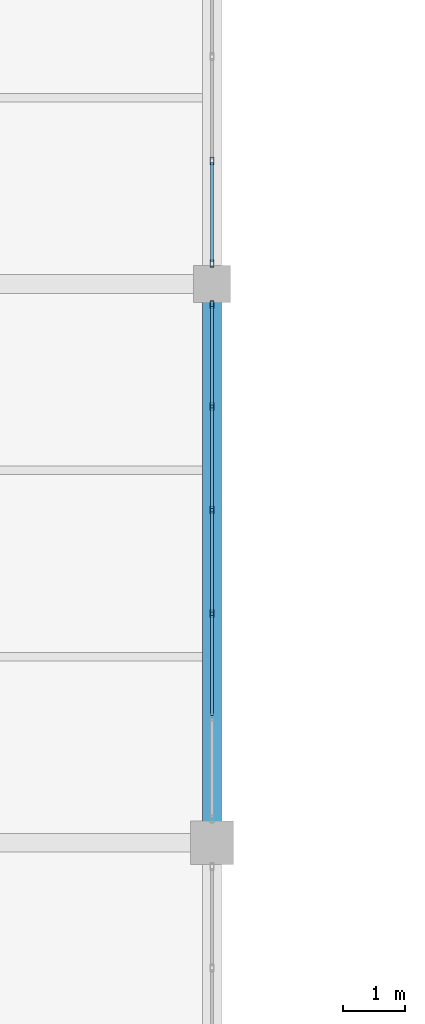
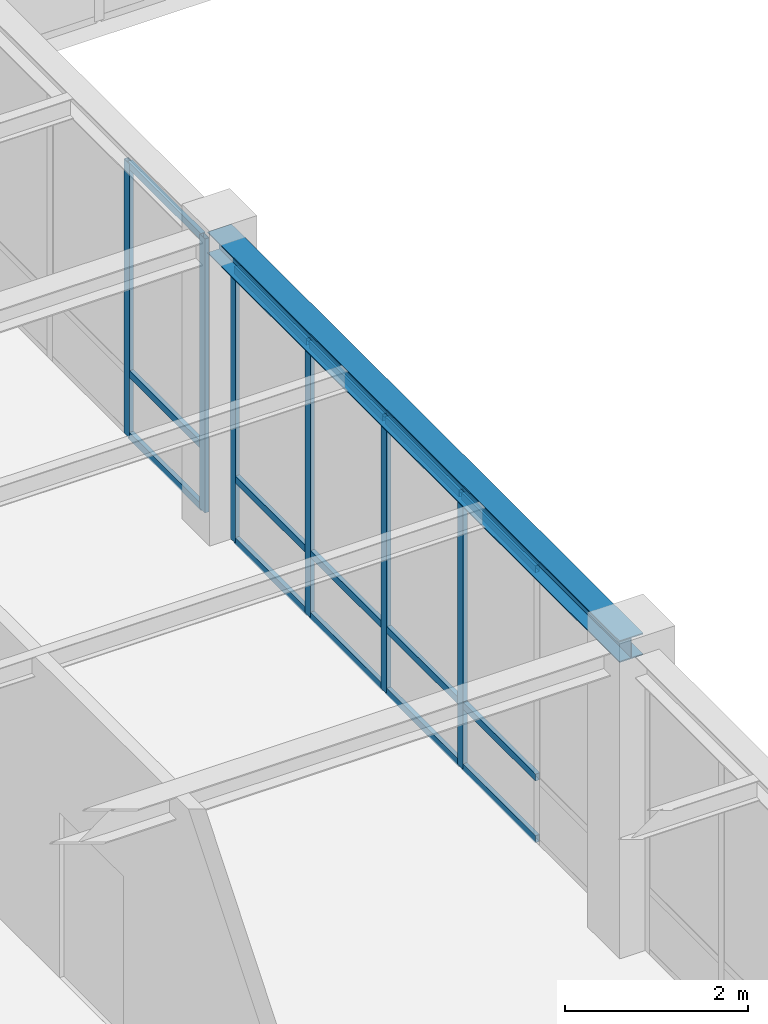
# One storey, part 35 of 130: 21 members, 1 beam, 2 elements without a shape of their own.
"""IFC4 building model written with IfcOpenShell, lengths in metres."""

from ifc_helpers import new_model, si_unit, direction, frame, origin, origin_2d, place, context, subcontext, project, spatial, hollow_rectangle, i_section, extrude, material, material_profile, profile_set, type_object, element, aggregate, save


model = new_model("IFC4")

# Units and contexts
model_context = context("Model", 3, precision=1e-05, world=origin(), true_north=direction((0.0, 1.0)))
body_context = subcontext(model_context, "Body", "Model", "MODEL_VIEW")
ifc_project = project(units=[si_unit("LENGTHUNIT", "METRE"), si_unit("AREAUNIT", "SQUARE_METRE"), si_unit("VOLUMEUNIT", "CUBIC_METRE"), si_unit("PLANEANGLEUNIT", "RADIAN"), si_unit("MASSUNIT", "GRAM", prefix="KILO")], contexts=[model_context])

# Site, building, storey
site_placement = place(None, origin())
site = spatial("IfcSite", under=ifc_project, at=site_placement, CompositionType="ELEMENT")
building_placement = place(site_placement, origin())
building = spatial("IfcBuilding", under=site, at=building_placement, Name="Lykobir Media Centre", CompositionType="ELEMENT")
storey_placement = place(building_placement, frame((0.0, 0.0, 19.199951171875)))
storey = spatial("IfcBuildingStorey", under=building, at=storey_placement, Name="L04", CompositionType="ELEMENT", Elevation=19.199951171875)

# Beam
ifc_material_1 = material(Name="Steel S355", Category="steel")
ifc_material_profile_1 = material_profile(ifc_material_1, i_section(OverallWidth=0.300048828125, OverallDepth=0.2900390625, WebThickness=0.008544921875, FlangeThickness=0.013916015625, at=origin_2d()), Name="HEA 300")
ifc_profile_set_1 = profile_set([ifc_material_profile_1], Name="Steel S355")
beam_type = type_object("IfcBeamType", Name="BM-HEA300", PredefinedType="BEAM", material=ifc_profile_set_1)
beam_placement = place(storey_placement, frame((36.0, 45.0, 3.81494140625), z_axis=(0.0, 1.0, 0.0), x_axis=(-1.0, 0.0, 0.0)))
element("IfcBeam", 1, at=beam_placement, inside=storey, type_object=beam_type, Name="Beam BM-L04-0360-0450-0360-0540-2302", PredefinedType="BEAM", context=body_context, shape_type="SweptSolid", body=[
    extrude(i_section(OverallWidth=0.300048828125, OverallDepth=0.2900390625, WebThickness=0.008544921875, FlangeThickness=0.013916015625, at=origin_2d()), origin(), (0.0, 0.0, 1.0), 9.0),
])

# Curtain wall, members
ifc_material_2 = material(Name="Anodized Aluminium AW-6060", Category="aluminium")
curtain_wall_type = type_object("IfcCurtainWallType", Name="CW-COURT-B", PredefinedType="NOTDEFINED", material=ifc_material_2)
curtain_wall_1_placement = place(storey_placement, origin())
curtain_wall_1 = element("IfcCurtainWall", 2, at=curtain_wall_1_placement, inside=storey, type_object=curtain_wall_type, Name="Curtain wall CW2-L04-0157", PredefinedType="NOTDEFINED")
ifc_material_profile_2 = material_profile(ifc_material_2, hollow_rectangle(XDim=0.054931640625, YDim=0.1201171875, WallThickness=0.003173828125, at=origin_2d()), Name="ALU MULLION 55x120")
ifc_profile_set_2 = profile_set([ifc_material_profile_2], Name="Anodized Aluminium AW-6060")
member_type_1 = type_object("IfcMemberType", Name="CWM-120", PredefinedType="MULLION", material=ifc_profile_set_2)
member_1_placement = place(storey_placement, frame((36.0, 53.66748046875, 0.0), z_axis=(0.0, 0.0, 1.0), x_axis=(1.0, 0.0, 0.0)))
member_1 = element("IfcMember", 3, at=member_1_placement, type_object=member_type_1, Name="CW2-L04-0157 mullion 1", PredefinedType="MULLION", context=body_context, shape_type="SweptSolid", body=[
    extrude(hollow_rectangle(XDim=0.054931640625, YDim=0.1201171875, WallThickness=0.003173828125, at=origin_2d()), origin(), (0.0, 0.0, 1.0), 3.655029296875),
])
member_2_placement = place(storey_placement, frame((36.0, 52.027099609375, 0.0), z_axis=(0.0, 0.0, 1.0), x_axis=(1.0, 0.0, 0.0)))
member_2 = element("IfcMember", 4, at=member_2_placement, type_object=member_type_1, Name="CW2-L04-0157 mullion 2", PredefinedType="MULLION", context=body_context, shape_type="SweptSolid", body=[
    extrude(hollow_rectangle(XDim=0.054931640625, YDim=0.1201171875, WallThickness=0.003173828125, at=origin_2d()), origin(), (0.0, 0.0, 1.0), 3.655029296875),
])
member_3_placement = place(storey_placement, frame((36.0, 50.35888671875, 0.0), z_axis=(0.0, 0.0, 1.0), x_axis=(1.0, 0.0, 0.0)))
member_3 = element("IfcMember", 5, at=member_3_placement, type_object=member_type_1, Name="CW2-L04-0157 mullion 3", PredefinedType="MULLION", context=body_context, shape_type="SweptSolid", body=[
    extrude(hollow_rectangle(XDim=0.054931640625, YDim=0.1201171875, WallThickness=0.003173828125, at=origin_2d()), origin(), (0.0, 0.0, 1.0), 3.655029296875),
])
member_4_placement = place(storey_placement, frame((36.0, 48.69091796875, 0.0), z_axis=(0.0, 0.0, 1.0), x_axis=(1.0, 0.0, 0.0)))
member_4 = element("IfcMember", 6, at=member_4_placement, type_object=member_type_1, Name="CW2-L04-0157 mullion 4", PredefinedType="MULLION", context=body_context, shape_type="SweptSolid", body=[
    extrude(hollow_rectangle(XDim=0.054931640625, YDim=0.1201171875, WallThickness=0.003173828125, at=origin_2d()), origin(), (0.0, 0.0, 1.0), 3.655029296875),
])

curtain_wall_2_placement = place(storey_placement, origin())
curtain_wall_2 = element("IfcCurtainWall", 7, at=curtain_wall_2_placement, inside=storey, type_object=curtain_wall_type, Name="Curtain wall CW2-L04-0158", PredefinedType="NOTDEFINED")
member_5_placement = place(storey_placement, frame((36.0, 55.98291015625, 0.0), z_axis=(0.0, 0.0, 1.0), x_axis=(1.0, 0.0, 0.0)))
member_5 = element("IfcMember", 8, at=member_5_placement, type_object=member_type_1, Name="CW2-L04-0158 mullion 5", PredefinedType="MULLION", context=body_context, shape_type="SweptSolid", body=[
    extrude(hollow_rectangle(XDim=0.054931640625, YDim=0.1201171875, WallThickness=0.003173828125, at=origin_2d()), origin(), (0.0, 0.0, 1.0), 3.655029296875),
])
member_6_placement = place(storey_placement, frame((36.0, 54.33251953125, 0.0), z_axis=(0.0, 0.0, 1.0), x_axis=(1.0, 0.0, 0.0)))
member_6 = element("IfcMember", 9, at=member_6_placement, type_object=member_type_1, Name="CW2-L04-0158 mullion 6", PredefinedType="MULLION", context=body_context, shape_type="SweptSolid", body=[
    extrude(hollow_rectangle(XDim=0.054931640625, YDim=0.1201171875, WallThickness=0.003173828125, at=origin_2d()), origin(), (0.0, 0.0, 1.0), 3.655029296875),
])

# Member
ifc_material_profile_3 = material_profile(ifc_material_2, hollow_rectangle(XDim=0.054931640625, YDim=0.094970703125, WallThickness=0.0029296875, at=origin_2d()), Name="ALU TRANSOM 55x95")
ifc_profile_set_3 = profile_set([ifc_material_profile_3], Name="Anodized Aluminium AW-6060")
member_type_2 = type_object("IfcMemberType", Name="CWT-095", PredefinedType="USERDEFINED", material=ifc_profile_set_3)
member_7_placement = place(storey_placement, frame((36.0, 53.639892578125, 0.027587890625), z_axis=(0.0, -1.0, 0.0), x_axis=(1.0, 0.0, 0.0)))
member_7 = element("IfcMember", 10, at=member_7_placement, type_object=member_type_2, Name="CW2-L04-0157 transom 1.1", ObjectType="TRANSOM", PredefinedType="USERDEFINED", context=body_context, shape_type="SweptSolid", body=[
    extrude(hollow_rectangle(XDim=0.054931640625, YDim=0.094970703125, WallThickness=0.0029296875, at=origin_2d()), origin(), (0.0, 0.0, 1.0), 1.58544921875),
])

member_8_placement = place(storey_placement, frame((36.0, 53.639892578125, 0.85009765625), z_axis=(0.0, -1.0, 0.0), x_axis=(1.0, 0.0, 0.0)))
member_8 = element("IfcMember", 11, at=member_8_placement, type_object=member_type_2, Name="CW2-L04-0157 transom 1.2", ObjectType="TRANSOM", PredefinedType="USERDEFINED", context=body_context, shape_type="SweptSolid", body=[
    extrude(hollow_rectangle(XDim=0.054931640625, YDim=0.094970703125, WallThickness=0.0029296875, at=origin_2d()), origin(), (0.0, 0.0, 1.0), 1.58544921875),
])

member_9_placement = place(storey_placement, frame((36.0, 53.639892578125, 3.62744140625), z_axis=(0.0, -1.0, 0.0), x_axis=(1.0, 0.0, 0.0)))
member_9 = element("IfcMember", 12, at=member_9_placement, type_object=member_type_2, Name="CW2-L04-0157 transom 1.3", ObjectType="TRANSOM", PredefinedType="USERDEFINED", context=body_context, shape_type="SweptSolid", body=[
    extrude(hollow_rectangle(XDim=0.054931640625, YDim=0.094970703125, WallThickness=0.0029296875, at=origin_2d()), origin(), (0.0, 0.0, 1.0), 1.58544921875),
])

member_10_placement = place(storey_placement, frame((36.0, 51.99951171875, 0.027587890625), z_axis=(0.0, -1.0, 0.0), x_axis=(1.0, 0.0, 0.0)))
member_10 = element("IfcMember", 13, at=member_10_placement, type_object=member_type_2, Name="CW2-L04-0157 transom 2.1", ObjectType="TRANSOM", PredefinedType="USERDEFINED", context=body_context, shape_type="SweptSolid", body=[
    extrude(hollow_rectangle(XDim=0.054931640625, YDim=0.094970703125, WallThickness=0.0029296875, at=origin_2d()), origin(), (0.0, 0.0, 1.0), 1.613037109375),
])

member_11_placement = place(storey_placement, frame((36.0, 51.99951171875, 0.85009765625), z_axis=(0.0, -1.0, 0.0), x_axis=(1.0, 0.0, 0.0)))
member_11 = element("IfcMember", 14, at=member_11_placement, type_object=member_type_2, Name="CW2-L04-0157 transom 2.2", ObjectType="TRANSOM", PredefinedType="USERDEFINED", context=body_context, shape_type="SweptSolid", body=[
    extrude(hollow_rectangle(XDim=0.054931640625, YDim=0.094970703125, WallThickness=0.0029296875, at=origin_2d()), origin(), (0.0, 0.0, 1.0), 1.613037109375),
])

member_12_placement = place(storey_placement, frame((36.0, 51.99951171875, 3.62744140625), z_axis=(0.0, -1.0, 0.0), x_axis=(1.0, 0.0, 0.0)))
member_12 = element("IfcMember", 15, at=member_12_placement, type_object=member_type_2, Name="CW2-L04-0157 transom 2.3", ObjectType="TRANSOM", PredefinedType="USERDEFINED", context=body_context, shape_type="SweptSolid", body=[
    extrude(hollow_rectangle(XDim=0.054931640625, YDim=0.094970703125, WallThickness=0.0029296875, at=origin_2d()), origin(), (0.0, 0.0, 1.0), 1.613037109375),
])

member_13_placement = place(storey_placement, frame((36.0, 50.33154296875, 0.027587890625), z_axis=(0.0, -1.0, 0.0), x_axis=(1.0, 0.0, 0.0)))
member_13 = element("IfcMember", 16, at=member_13_placement, type_object=member_type_2, Name="CW2-L04-0157 transom 3.1", ObjectType="TRANSOM", PredefinedType="USERDEFINED", context=body_context, shape_type="SweptSolid", body=[
    extrude(hollow_rectangle(XDim=0.054931640625, YDim=0.094970703125, WallThickness=0.0029296875, at=origin_2d()), origin(), (0.0, 0.0, 1.0), 1.613037109375),
])

member_14_placement = place(storey_placement, frame((36.0, 50.33154296875, 0.85009765625), z_axis=(0.0, -1.0, 0.0), x_axis=(1.0, 0.0, 0.0)))
member_14 = element("IfcMember", 17, at=member_14_placement, type_object=member_type_2, Name="CW2-L04-0157 transom 3.2", ObjectType="TRANSOM", PredefinedType="USERDEFINED", context=body_context, shape_type="SweptSolid", body=[
    extrude(hollow_rectangle(XDim=0.054931640625, YDim=0.094970703125, WallThickness=0.0029296875, at=origin_2d()), origin(), (0.0, 0.0, 1.0), 1.613037109375),
])

member_15_placement = place(storey_placement, frame((36.0, 50.33154296875, 3.62744140625), z_axis=(0.0, -1.0, 0.0), x_axis=(1.0, 0.0, 0.0)))
member_15 = element("IfcMember", 18, at=member_15_placement, type_object=member_type_2, Name="CW2-L04-0157 transom 3.3", ObjectType="TRANSOM", PredefinedType="USERDEFINED", context=body_context, shape_type="SweptSolid", body=[
    extrude(hollow_rectangle(XDim=0.054931640625, YDim=0.094970703125, WallThickness=0.0029296875, at=origin_2d()), origin(), (0.0, 0.0, 1.0), 1.613037109375),
])

member_16_placement = place(storey_placement, frame((36.0, 48.66357421875, 0.027587890625), z_axis=(0.0, -1.0, 0.0), x_axis=(1.0, 0.0, 0.0)))
member_16 = element("IfcMember", 19, at=member_16_placement, type_object=member_type_2, Name="CW2-L04-0157 transom 4.1", ObjectType="TRANSOM", PredefinedType="USERDEFINED", context=body_context, shape_type="SweptSolid", body=[
    extrude(hollow_rectangle(XDim=0.054931640625, YDim=0.094970703125, WallThickness=0.0029296875, at=origin_2d()), origin(), (0.0, 0.0, 1.0), 1.613037109375),
])

member_17_placement = place(storey_placement, frame((36.0, 48.66357421875, 0.85009765625), z_axis=(0.0, -1.0, 0.0), x_axis=(1.0, 0.0, 0.0)))
member_17 = element("IfcMember", 20, at=member_17_placement, type_object=member_type_2, Name="CW2-L04-0157 transom 4.2", ObjectType="TRANSOM", PredefinedType="USERDEFINED", context=body_context, shape_type="SweptSolid", body=[
    extrude(hollow_rectangle(XDim=0.054931640625, YDim=0.094970703125, WallThickness=0.0029296875, at=origin_2d()), origin(), (0.0, 0.0, 1.0), 1.613037109375),
])

member_18_placement = place(storey_placement, frame((36.0, 48.66357421875, 3.62744140625), z_axis=(0.0, -1.0, 0.0), x_axis=(1.0, 0.0, 0.0)))
member_18 = element("IfcMember", 21, at=member_18_placement, type_object=member_type_2, Name="CW2-L04-0157 transom 4.3", ObjectType="TRANSOM", PredefinedType="USERDEFINED", context=body_context, shape_type="SweptSolid", body=[
    extrude(hollow_rectangle(XDim=0.054931640625, YDim=0.094970703125, WallThickness=0.0029296875, at=origin_2d()), origin(), (0.0, 0.0, 1.0), 1.613037109375),
])

aggregate(curtain_wall_1, [member_1, member_2, member_3, member_4, member_7, member_8, member_9, member_10, member_11, member_12, member_13, member_14, member_15, member_16, member_17, member_18])

member_19_placement = place(storey_placement, frame((36.0, 55.95556640625, 0.027587890625), z_axis=(0.0, -1.0, 0.0), x_axis=(1.0, 0.0, 0.0)))
member_19 = element("IfcMember", 22, at=member_19_placement, type_object=member_type_2, Name="CW2-L04-0158 transom 5.1", ObjectType="TRANSOM", PredefinedType="USERDEFINED", context=body_context, shape_type="SweptSolid", body=[
    extrude(hollow_rectangle(XDim=0.054931640625, YDim=0.094970703125, WallThickness=0.0029296875, at=origin_2d()), origin(), (0.0, 0.0, 1.0), 1.595458984375),
])

member_20_placement = place(storey_placement, frame((36.0, 55.95556640625, 0.85009765625), z_axis=(0.0, -1.0, 0.0), x_axis=(1.0, 0.0, 0.0)))
member_20 = element("IfcMember", 23, at=member_20_placement, type_object=member_type_2, Name="CW2-L04-0158 transom 5.2", ObjectType="TRANSOM", PredefinedType="USERDEFINED", context=body_context, shape_type="SweptSolid", body=[
    extrude(hollow_rectangle(XDim=0.054931640625, YDim=0.094970703125, WallThickness=0.0029296875, at=origin_2d()), origin(), (0.0, 0.0, 1.0), 1.595458984375),
])

member_21_placement = place(storey_placement, frame((36.0, 55.95556640625, 3.62744140625), z_axis=(0.0, -1.0, 0.0), x_axis=(1.0, 0.0, 0.0)))
member_21 = element("IfcMember", 24, at=member_21_placement, type_object=member_type_2, Name="CW2-L04-0158 transom 5.3", ObjectType="TRANSOM", PredefinedType="USERDEFINED", context=body_context, shape_type="SweptSolid", body=[
    extrude(hollow_rectangle(XDim=0.054931640625, YDim=0.094970703125, WallThickness=0.0029296875, at=origin_2d()), origin(), (0.0, 0.0, 1.0), 1.595458984375),
])

aggregate(curtain_wall_2, [member_5, member_6, member_19, member_20, member_21])

save(model, "model.ifc")
